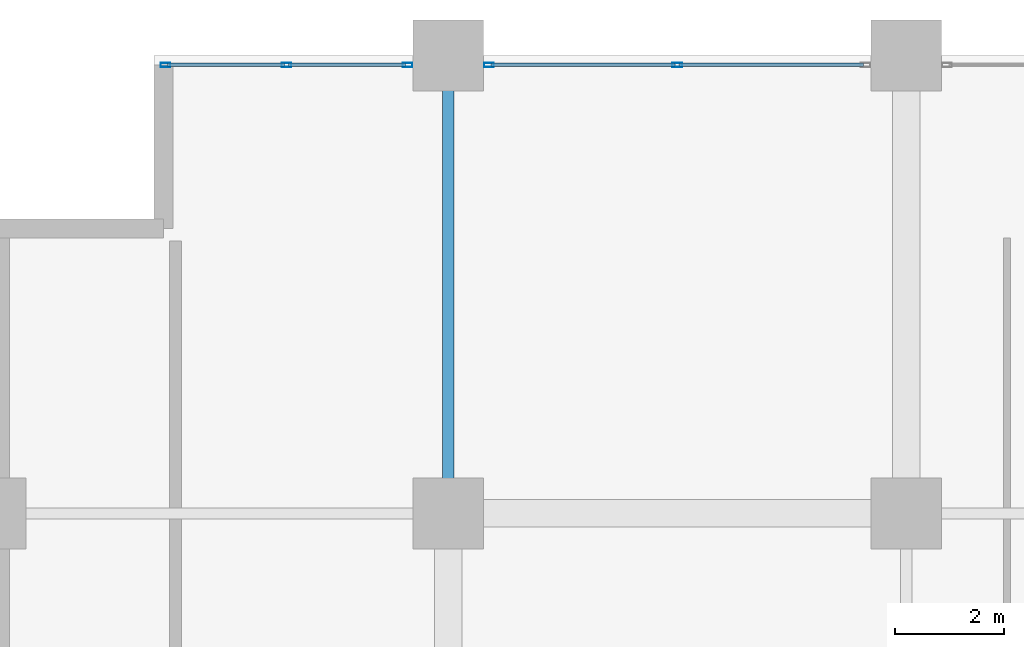
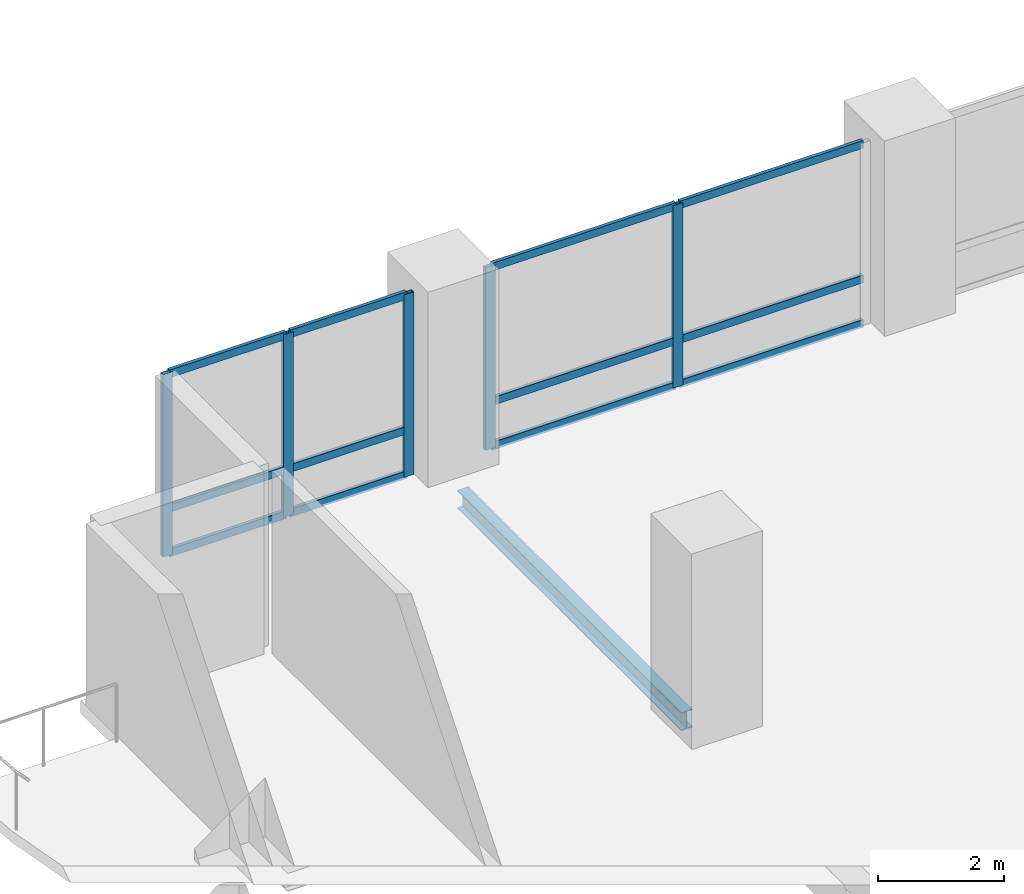
# One storey, part 3 of 22: 17 members, 1 beam, 2 elements without a shape of their own.
"""IFC4 building model written with IfcOpenShell, lengths in metres."""

from ifc_helpers import new_model, si_unit, direction, frame, origin, origin_2d, place, context, subcontext, project, spatial, hollow_rectangle, i_section, extrude, material, layer, layer_set, material_profile, profile_set, type_object, element, aggregate, save


model = new_model("IFC4")

# Units and contexts
model_context = context("Model", 3, precision=1e-05, world=origin(), true_north=direction((0.0, 1.0)))
body_context = subcontext(model_context, "Body", "Model", "MODEL_VIEW")
ifc_project = project(units=[si_unit("LENGTHUNIT", "METRE"), si_unit("AREAUNIT", "SQUARE_METRE"), si_unit("VOLUMEUNIT", "CUBIC_METRE"), si_unit("PLANEANGLEUNIT", "RADIAN"), si_unit("MASSUNIT", "GRAM", prefix="KILO")], contexts=[model_context])

# Site, building, storey
site_placement = place(None, origin())
site = spatial("IfcSite", under=ifc_project, at=site_placement, CompositionType="ELEMENT")
building_placement = place(site_placement, origin())
building = spatial("IfcBuilding", under=site, at=building_placement, Name="Koriwani Terraces Tower", CompositionType="ELEMENT")
storey_placement = place(building_placement, frame((0.0, 0.0, 141.800048828125)))
storey = spatial("IfcBuildingStorey", under=building, at=storey_placement, Name="L34", CompositionType="ELEMENT", Elevation=141.800048828125)

# Curtain wall, members
ifc_material_1 = material(Name="Anodised Bronze Aluminium", Category="aluminium")
ifc_layer = layer(ifc_material_1, 0.179931640625, Name="Anodised Bronze Aluminium")
ifc_layer_set = layer_set([ifc_layer], Name="Anodised Bronze Aluminium")
curtain_wall_type = type_object("IfcCurtainWallType", Name="CW_HOTEL_ZONE2", PredefinedType="NOTDEFINED", material=ifc_layer_set)
curtain_wall_1_placement = place(storey_placement, origin())
curtain_wall_1 = element("IfcCurtainWall", 1, at=curtain_wall_1_placement, inside=storey, type_object=curtain_wall_type, Name="L34 Unitised Curtain Wall (N_TIP) Bay 1", PredefinedType="NOTDEFINED")
ifc_material_profile_1 = material_profile(ifc_material_1, hollow_rectangle(XDim=0.074951171875, YDim=0.179931640625, WallThickness=0.006103515625, at=origin_2d()), Name="Anodised Bronze Aluminium", Category="LoadBearing")
ifc_profile_set_1 = profile_set([ifc_material_profile_1], Name="Anodised Bronze Aluminium")
member_type_1 = type_object("IfcMemberType", Name="CW_MULLION_180X75", PredefinedType="MULLION", material=ifc_profile_set_1)
member_1_placement = place(storey_placement, frame((3.21240234375, 92.22509765625, 0.0), z_axis=(0.0, 0.0, 1.0), x_axis=(0.0, 1.0, 0.0)))
member_1 = element("IfcMember", 2, at=member_1_placement, type_object=member_type_1, Name="CW-Z2 mullion 1", PredefinedType="MULLION", context=body_context, shape_type="SweptSolid", body=[
    extrude(hollow_rectangle(XDim=0.074951171875, YDim=0.179931640625, WallThickness=0.006103515625, at=origin_2d()), origin(), (0.0, 0.0, 1.0), 3.550048828125),
])
member_2_placement = place(storey_placement, frame((5.4326171875, 92.22509765625, 0.0), z_axis=(0.0, 0.0, 1.0), x_axis=(0.0, 1.0, 0.0)))
member_2 = element("IfcMember", 3, at=member_2_placement, type_object=member_type_1, Name="CW-Z2 mullion 2", PredefinedType="MULLION", context=body_context, shape_type="SweptSolid", body=[
    extrude(hollow_rectangle(XDim=0.074951171875, YDim=0.179931640625, WallThickness=0.006103515625, at=origin_2d()), origin(), (0.0, 0.0, 1.0), 3.550048828125),
])
member_3_placement = place(storey_placement, frame((7.652587890625, 92.22509765625, 0.0), z_axis=(0.0, 0.0, 1.0), x_axis=(0.0, 1.0, 0.0)))
member_3 = element("IfcMember", 4, at=member_3_placement, type_object=member_type_1, Name="CW-Z2 mullion 3", PredefinedType="MULLION", context=body_context, shape_type="SweptSolid", body=[
    extrude(hollow_rectangle(XDim=0.074951171875, YDim=0.179931640625, WallThickness=0.006103515625, at=origin_2d()), origin(), (0.0, 0.0, 1.0), 3.550048828125),
])

curtain_wall_2_placement = place(storey_placement, origin())
curtain_wall_2 = element("IfcCurtainWall", 5, at=curtain_wall_2_placement, inside=storey, type_object=curtain_wall_type, Name="L34 Unitised Curtain Wall (N_TIP) Bay 2", PredefinedType="NOTDEFINED")
member_4_placement = place(storey_placement, frame((9.1474609375, 92.22509765625, 0.0), z_axis=(0.0, 0.0, 1.0), x_axis=(0.0, 1.0, 0.0)))
member_4 = element("IfcMember", 6, at=member_4_placement, type_object=member_type_1, Name="CW-Z2 mullion 1", PredefinedType="MULLION", context=body_context, shape_type="SweptSolid", body=[
    extrude(hollow_rectangle(XDim=0.074951171875, YDim=0.179931640625, WallThickness=0.006103515625, at=origin_2d()), origin(), (0.0, 0.0, 1.0), 3.550048828125),
])
member_5_placement = place(storey_placement, frame((12.60009765625, 92.22509765625, 0.0), z_axis=(0.0, 0.0, 1.0), x_axis=(0.0, 1.0, 0.0)))
member_5 = element("IfcMember", 7, at=member_5_placement, type_object=member_type_1, Name="CW-Z2 mullion 2", PredefinedType="MULLION", context=body_context, shape_type="SweptSolid", body=[
    extrude(hollow_rectangle(XDim=0.074951171875, YDim=0.179931640625, WallThickness=0.006103515625, at=origin_2d()), origin(), (0.0, 0.0, 1.0), 3.550048828125),
])

# Member
ifc_material_profile_2 = material_profile(ifc_material_1, hollow_rectangle(XDim=0.06494140625, YDim=0.14990234375, WallThickness=0.0048828125, at=origin_2d()), Name="Anodised Bronze Aluminium", Category="LoadBearing")
ifc_profile_set_2 = profile_set([ifc_material_profile_2], Name="Anodised Bronze Aluminium")
member_type_2 = type_object("IfcMemberType", Name="CW_TRANSOM_150X65", PredefinedType="USERDEFINED", material=ifc_profile_set_2)
member_6_placement = place(storey_placement, frame((3.25, 92.22509765625, 0.032470703125), z_axis=(1.0, 0.0, 0.0), x_axis=(0.0, 1.0, 0.0)))
member_6 = element("IfcMember", 8, at=member_6_placement, type_object=member_type_2, Name="CW-Z2 transom 1.1", ObjectType="TRANSOM", PredefinedType="USERDEFINED", context=body_context, shape_type="SweptSolid", body=[
    extrude(hollow_rectangle(XDim=0.06494140625, YDim=0.14990234375, WallThickness=0.0048828125, at=origin_2d()), origin(), (0.0, 0.0, 1.0), 2.14501953125),
])

member_7_placement = place(storey_placement, frame((3.25, 92.22509765625, 0.89990234375), z_axis=(1.0, 0.0, 0.0), x_axis=(0.0, 1.0, 0.0)))
member_7 = element("IfcMember", 9, at=member_7_placement, type_object=member_type_2, Name="CW-Z2 transom 1.2", ObjectType="TRANSOM", PredefinedType="USERDEFINED", context=body_context, shape_type="SweptSolid", body=[
    extrude(hollow_rectangle(XDim=0.06494140625, YDim=0.14990234375, WallThickness=0.0048828125, at=origin_2d()), origin(), (0.0, 0.0, 1.0), 2.14501953125),
])

member_8_placement = place(storey_placement, frame((3.25, 92.22509765625, 3.517333984375), z_axis=(1.0, 0.0, 0.0), x_axis=(0.0, 1.0, 0.0)))
member_8 = element("IfcMember", 10, at=member_8_placement, type_object=member_type_2, Name="CW-Z2 transom 1.3", ObjectType="TRANSOM", PredefinedType="USERDEFINED", context=body_context, shape_type="SweptSolid", body=[
    extrude(hollow_rectangle(XDim=0.06494140625, YDim=0.14990234375, WallThickness=0.0048828125, at=origin_2d()), origin(), (0.0, 0.0, 1.0), 2.14501953125),
])

member_9_placement = place(storey_placement, frame((5.469970703125, 92.22509765625, 0.032470703125), z_axis=(1.0, 0.0, 0.0), x_axis=(0.0, 1.0, 0.0)))
member_9 = element("IfcMember", 11, at=member_9_placement, type_object=member_type_2, Name="CW-Z2 transom 2.1", ObjectType="TRANSOM", PredefinedType="USERDEFINED", context=body_context, shape_type="SweptSolid", body=[
    extrude(hollow_rectangle(XDim=0.06494140625, YDim=0.14990234375, WallThickness=0.0048828125, at=origin_2d()), origin(), (0.0, 0.0, 1.0), 2.14501953125),
])

member_10_placement = place(storey_placement, frame((5.469970703125, 92.22509765625, 0.89990234375), z_axis=(1.0, 0.0, 0.0), x_axis=(0.0, 1.0, 0.0)))
member_10 = element("IfcMember", 12, at=member_10_placement, type_object=member_type_2, Name="CW-Z2 transom 2.2", ObjectType="TRANSOM", PredefinedType="USERDEFINED", context=body_context, shape_type="SweptSolid", body=[
    extrude(hollow_rectangle(XDim=0.06494140625, YDim=0.14990234375, WallThickness=0.0048828125, at=origin_2d()), origin(), (0.0, 0.0, 1.0), 2.14501953125),
])

member_11_placement = place(storey_placement, frame((5.469970703125, 92.22509765625, 3.517333984375), z_axis=(1.0, 0.0, 0.0), x_axis=(0.0, 1.0, 0.0)))
member_11 = element("IfcMember", 13, at=member_11_placement, type_object=member_type_2, Name="CW-Z2 transom 2.3", ObjectType="TRANSOM", PredefinedType="USERDEFINED", context=body_context, shape_type="SweptSolid", body=[
    extrude(hollow_rectangle(XDim=0.06494140625, YDim=0.14990234375, WallThickness=0.0048828125, at=origin_2d()), origin(), (0.0, 0.0, 1.0), 2.14501953125),
])

aggregate(curtain_wall_1, [member_1, member_2, member_3, member_6, member_7, member_8, member_9, member_10, member_11])

member_12_placement = place(storey_placement, frame((9.18505859375, 92.22509765625, 0.032470703125), z_axis=(1.0, 0.0, 0.0), x_axis=(0.0, 1.0, 0.0)))
member_12 = element("IfcMember", 14, at=member_12_placement, type_object=member_type_2, Name="CW-Z2 transom 1.1", ObjectType="TRANSOM", PredefinedType="USERDEFINED", context=body_context, shape_type="SweptSolid", body=[
    extrude(hollow_rectangle(XDim=0.06494140625, YDim=0.14990234375, WallThickness=0.0048828125, at=origin_2d()), origin(), (0.0, 0.0, 1.0), 3.37744140625),
])

member_13_placement = place(storey_placement, frame((9.18505859375, 92.22509765625, 0.89990234375), z_axis=(1.0, 0.0, 0.0), x_axis=(0.0, 1.0, 0.0)))
member_13 = element("IfcMember", 15, at=member_13_placement, type_object=member_type_2, Name="CW-Z2 transom 1.2", ObjectType="TRANSOM", PredefinedType="USERDEFINED", context=body_context, shape_type="SweptSolid", body=[
    extrude(hollow_rectangle(XDim=0.06494140625, YDim=0.14990234375, WallThickness=0.0048828125, at=origin_2d()), origin(), (0.0, 0.0, 1.0), 3.37744140625),
])

member_14_placement = place(storey_placement, frame((9.18505859375, 92.22509765625, 3.517333984375), z_axis=(1.0, 0.0, 0.0), x_axis=(0.0, 1.0, 0.0)))
member_14 = element("IfcMember", 16, at=member_14_placement, type_object=member_type_2, Name="CW-Z2 transom 1.3", ObjectType="TRANSOM", PredefinedType="USERDEFINED", context=body_context, shape_type="SweptSolid", body=[
    extrude(hollow_rectangle(XDim=0.06494140625, YDim=0.14990234375, WallThickness=0.0048828125, at=origin_2d()), origin(), (0.0, 0.0, 1.0), 3.37744140625),
])

member_15_placement = place(storey_placement, frame((12.637451171875, 92.22509765625, 0.032470703125), z_axis=(1.0, 0.0, 0.0), x_axis=(0.0, 1.0, 0.0)))
member_15 = element("IfcMember", 17, at=member_15_placement, type_object=member_type_2, Name="CW-Z2 transom 2.1", ObjectType="TRANSOM", PredefinedType="USERDEFINED", context=body_context, shape_type="SweptSolid", body=[
    extrude(hollow_rectangle(XDim=0.06494140625, YDim=0.14990234375, WallThickness=0.0048828125, at=origin_2d()), origin(), (0.0, 0.0, 1.0), 3.37744140625),
])

member_16_placement = place(storey_placement, frame((12.637451171875, 92.22509765625, 0.89990234375), z_axis=(1.0, 0.0, 0.0), x_axis=(0.0, 1.0, 0.0)))
member_16 = element("IfcMember", 18, at=member_16_placement, type_object=member_type_2, Name="CW-Z2 transom 2.2", ObjectType="TRANSOM", PredefinedType="USERDEFINED", context=body_context, shape_type="SweptSolid", body=[
    extrude(hollow_rectangle(XDim=0.06494140625, YDim=0.14990234375, WallThickness=0.0048828125, at=origin_2d()), origin(), (0.0, 0.0, 1.0), 3.37744140625),
])

member_17_placement = place(storey_placement, frame((12.637451171875, 92.22509765625, 3.517333984375), z_axis=(1.0, 0.0, 0.0), x_axis=(0.0, 1.0, 0.0)))
member_17 = element("IfcMember", 19, at=member_17_placement, type_object=member_type_2, Name="CW-Z2 transom 2.3", ObjectType="TRANSOM", PredefinedType="USERDEFINED", context=body_context, shape_type="SweptSolid", body=[
    extrude(hollow_rectangle(XDim=0.06494140625, YDim=0.14990234375, WallThickness=0.0048828125, at=origin_2d()), origin(), (0.0, 0.0, 1.0), 3.37744140625),
])

aggregate(curtain_wall_2, [member_4, member_5, member_12, member_13, member_14, member_15, member_16, member_17])

# Beam
ifc_material_2 = material(Name="Steel ASTM A572 Grade 50", Category="steel")
ifc_material_profile_3 = material_profile(ifc_material_2, i_section(OverallWidth=0.205078125, OverallDepth=0.35400390625, WebThickness=0.009521484375, FlangeThickness=0.016845703125, at=origin_2d()), Name="Steel ASTM A572 Grade 50", Category="LoadBearing")
ifc_profile_set_3 = profile_set([ifc_material_profile_3], Name="Steel ASTM A572 Grade 50")
beam_type = type_object("IfcBeamType", Name="STEEL_BEAM_W360X79", PredefinedType="JOIST", material=ifc_profile_set_3)
beam_placement = place(storey_placement, frame((8.39990234375, 84.6298828125, -0.427001953125), z_axis=(0.0, 1.0, 0.0), x_axis=(-1.0, 0.0, 0.0)))
element("IfcBeam", 20, at=beam_placement, inside=storey, type_object=beam_type, Name="L34 Grid Beam 2 (84.0-92.4m)", PredefinedType="JOIST", context=body_context, shape_type="SweptSolid", body=[
    extrude(i_section(OverallWidth=0.205078125, OverallDepth=0.35400390625, WebThickness=0.009521484375, FlangeThickness=0.016845703125, at=origin_2d()), origin(), (0.0, 0.0, 1.0), 7.14013671875),
])

save(model, "model.ifc")
